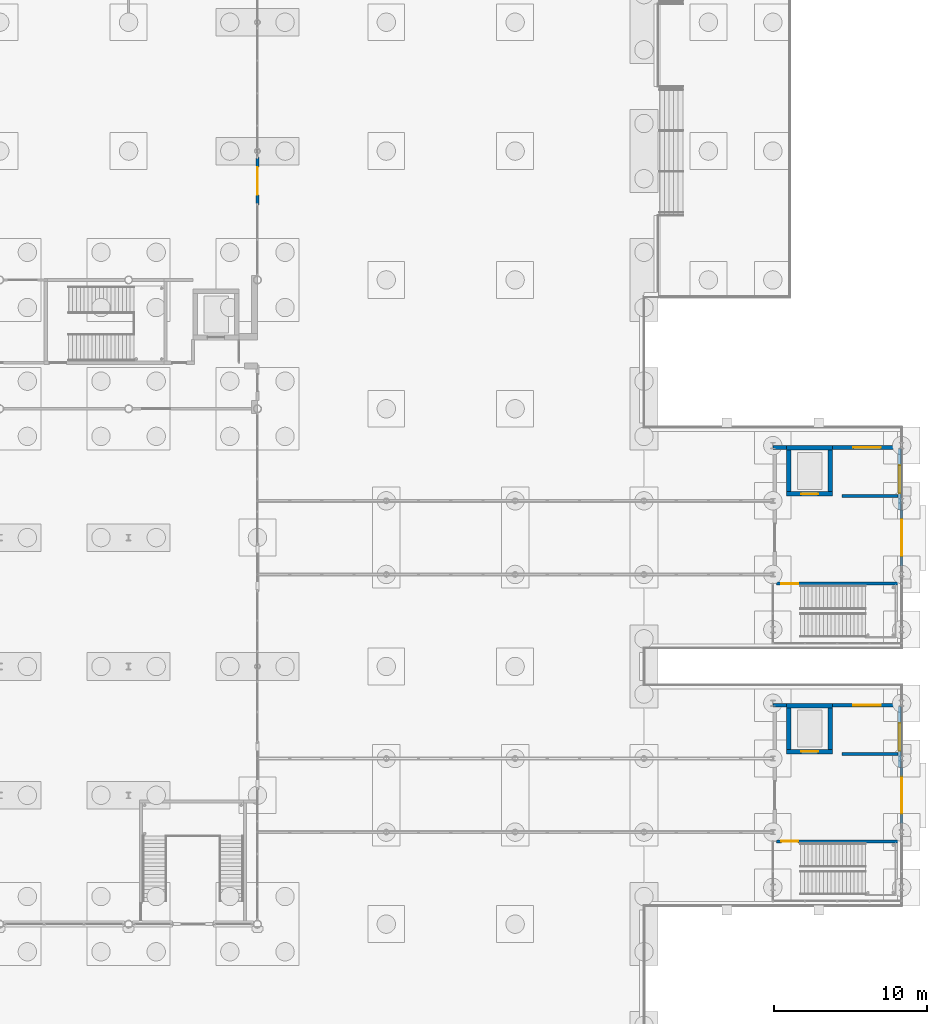
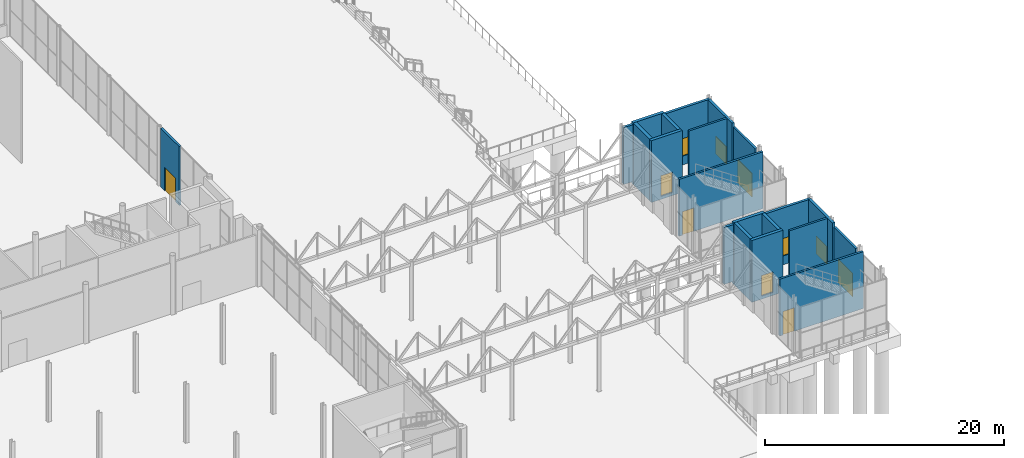
# One storey, part 184 of 212: 21 walls, 7 doors, 4 windows, 11 openings.
"""IFC4 building model written with IfcOpenShell, lengths in metres."""

from ifc_helpers import new_model, si_unit, direction, frame, frame_2d, origin, place, context, subcontext, project, spatial, rectangle, extrude, material, layer, layer_set, type_object, element, fill, save


model = new_model("IFC4")

# Units and contexts
model_context = context("Model", 3, precision=1e-05, world=origin(), true_north=direction((0.0, 1.0)))
body_context = subcontext(model_context, "Body", "Model", "MODEL_VIEW")
ifc_project = project(units=[si_unit("LENGTHUNIT", "METRE"), si_unit("AREAUNIT", "SQUARE_METRE"), si_unit("VOLUMEUNIT", "CUBIC_METRE"), si_unit("PLANEANGLEUNIT", "RADIAN"), si_unit("MASSUNIT", "GRAM", prefix="KILO")], contexts=[model_context])

# Site, building, storey
site_placement = place(None, origin())
site = spatial("IfcSite", under=ifc_project, at=site_placement, CompositionType="ELEMENT")
building_placement = place(site_placement, origin())
building = spatial("IfcBuilding", under=site, at=building_placement, Name="Catenary Quay Ferry Terminal", CompositionType="ELEMENT")
storey_placement = place(building_placement, origin())
storey = spatial("IfcBuildingStorey", under=building, at=storey_placement, Name="L00", CompositionType="ELEMENT", Elevation=0.0)

# Wall
ifc_material_1 = material(Name="Masonry and insulation", Category="masonry")
ifc_layer_1 = layer(ifc_material_1, 0.25)
ifc_layer_set_1 = layer_set([ifc_layer_1], Name="EW4")
wall_type_1 = type_object("IfcWallType", Name="EW4", PredefinedType="SOLIDWALL", material=ifc_layer_set_1)
wall_1_placement = place(storey_placement, frame((126.0, 81.47509765625, 0.0), z_axis=(0.0, 0.0, 1.0), x_axis=(1.0, 0.0, 0.0)))
element("IfcWall", 1, at=wall_1_placement, inside=storey, type_object=wall_type_1, Name="P1 wall WL156", PredefinedType="SOLIDWALL", context=body_context, shape_type="SweptSolid", body=[
    extrude(rectangle(XDim=0.89990234375, YDim=0.25, at=frame_2d((0.449951171875, 0.0))), origin(), (0.0, 0.0, 1.0), 5.800048828125),
])

# Wall, opening, window
wall_2_placement = place(storey_placement, frame((129.89990234375, 81.47509765625, 0.0), z_axis=(0.0, 0.0, 1.0), x_axis=(1.0, 0.0, 0.0)))
wall_2 = element("IfcWall", 2, at=wall_2_placement, inside=storey, type_object=wall_type_1, Name="P2 wall WL157", PredefinedType="SOLIDWALL", context=body_context, shape_type="SweptSolid", body=[
    extrude(rectangle(XDim=4.5, YDim=0.25, at=frame_2d((2.25, 0.0))), origin(), (0.0, 0.0, 1.0), 5.800048828125),
])
opening_1_placement = place(wall_2_placement, frame((1.35009765625, 0.0, 0.89990234375)))
opening_1 = element("IfcOpeningElement", 3, at=opening_1_placement, cuts=wall_2, Name="Opening W1", PredefinedType="OPENING", context=body_context, shape_type="SweptSolid", body=[
    extrude(rectangle(XDim=1.800048828125, YDim=1.800048828125, at=frame_2d((0.89990234375, 0.89990234375))), frame((0.0, 0.135009765625, 0.0), z_axis=(0.0, -1.0, 0.0), x_axis=(1.0, 0.0, 0.0)), (0.0, 0.0, 1.0), 0.27001953125),
])
ifc_material_2 = material(Name="Aluminium and glass", Category="aluminium")
window_type = type_object("IfcWindowType", Name="WH1", PartitioningType="SINGLE_PANEL", PredefinedType="WINDOW", material=ifc_material_2)
window_1_placement = place(opening_1_placement, origin())
window_1 = element("IfcWindow", 4, at=window_1_placement, inside=storey, type_object=window_type, Name="P2 window W1", OverallHeight=1.800048828125, OverallWidth=1.800048828125, PartitioningType="SINGLE_PANEL", PredefinedType="WINDOW", context=body_context, shape_type="SweptSolid", body=[
    extrude(rectangle(XDim=1.800048828125, YDim=1.800048828125, at=frame_2d((0.89990234375, 0.89990234375))), frame((0.0, 0.030029296875, 0.0), z_axis=(0.0, -1.0, 0.0), x_axis=(1.0, 0.0, 0.0)), (0.0, 0.0, 1.0), 0.06005859375),
])
fill(opening_1, window_1)

# Wall
wall_3_placement = place(storey_placement, frame((126.0, 98.27490234375, 0.0), z_axis=(0.0, 0.0, 1.0), x_axis=(1.0, 0.0, 0.0)))
element("IfcWall", 5, at=wall_3_placement, inside=storey, type_object=wall_type_1, Name="P3 wall WL158", PredefinedType="SOLIDWALL", context=body_context, shape_type="SweptSolid", body=[
    extrude(rectangle(XDim=0.89990234375, YDim=0.25, at=frame_2d((0.449951171875, 0.0))), origin(), (0.0, 0.0, 1.0), 5.800048828125),
])

# Wall, opening, window
wall_4_placement = place(storey_placement, frame((129.89990234375, 98.27490234375, 0.0), z_axis=(0.0, 0.0, 1.0), x_axis=(1.0, 0.0, 0.0)))
wall_4 = element("IfcWall", 6, at=wall_4_placement, inside=storey, type_object=wall_type_1, Name="P4 wall WL159", PredefinedType="SOLIDWALL", context=body_context, shape_type="SweptSolid", body=[
    extrude(rectangle(XDim=4.5, YDim=0.25, at=frame_2d((2.25, 0.0))), origin(), (0.0, 0.0, 1.0), 5.800048828125),
])
opening_2_placement = place(wall_4_placement, frame((1.35009765625, 0.0, 0.89990234375)))
opening_2 = element("IfcOpeningElement", 7, at=opening_2_placement, cuts=wall_4, Name="Opening W2", PredefinedType="OPENING", context=body_context, shape_type="SweptSolid", body=[
    extrude(rectangle(XDim=1.800048828125, YDim=1.800048828125, at=frame_2d((0.89990234375, 0.89990234375))), frame((0.0, 0.135009765625, 0.0), z_axis=(0.0, -1.0, 0.0), x_axis=(1.0, 0.0, 0.0)), (0.0, 0.0, 1.0), 0.27001953125),
])
window_2_placement = place(opening_2_placement, origin())
window_2 = element("IfcWindow", 8, at=window_2_placement, inside=storey, type_object=window_type, Name="P4 window W2", OverallHeight=1.800048828125, OverallWidth=1.800048828125, PartitioningType="SINGLE_PANEL", PredefinedType="WINDOW", context=body_context, shape_type="SweptSolid", body=[
    extrude(rectangle(XDim=1.800048828125, YDim=1.800048828125, at=frame_2d((0.89990234375, 0.89990234375))), frame((0.0, 0.030029296875, 0.0), z_axis=(0.0, -1.0, 0.0), x_axis=(1.0, 0.0, 0.0)), (0.0, 0.0, 1.0), 0.06005859375),
])
fill(opening_2, window_2)

wall_5_placement = place(storey_placement, frame((134.27490234375, 77.39990234375, 0.0), z_axis=(0.0, 0.0, 1.0), x_axis=(0.0, 1.0, 0.0)))
wall_5 = element("IfcWall", 9, at=wall_5_placement, inside=storey, type_object=wall_type_1, Name="P8 wall WL163", PredefinedType="SOLIDWALL", context=body_context, shape_type="SweptSolid", body=[
    extrude(rectangle(XDim=4.005126953125, YDim=0.25, at=frame_2d((2.00244140625, 0.0))), origin(), (0.0, 0.0, 1.0), 5.800048828125),
])
opening_3_placement = place(wall_5_placement, frame((1.1025390625, 0.0, 0.89990234375)))
opening_3 = element("IfcOpeningElement", 10, at=opening_3_placement, cuts=wall_5, Name="Opening W3", PredefinedType="OPENING", context=body_context, shape_type="SweptSolid", body=[
    extrude(rectangle(XDim=1.800048828125, YDim=1.800048828125, at=frame_2d((0.89990234375, 0.89990234375))), frame((0.0, 0.135009765625, 0.0), z_axis=(0.0, -1.0, 0.0), x_axis=(1.0, 0.0, 0.0)), (0.0, 0.0, 1.0), 0.27001953125),
])
window_3_placement = place(opening_3_placement, origin())
window_3 = element("IfcWindow", 11, at=window_3_placement, inside=storey, type_object=window_type, Name="P8 window W3", OverallHeight=1.800048828125, OverallWidth=1.800048828125, PartitioningType="SINGLE_PANEL", PredefinedType="WINDOW", context=body_context, shape_type="SweptSolid", body=[
    extrude(rectangle(XDim=1.800048828125, YDim=1.800048828125, at=frame_2d((0.89990234375, 0.89990234375))), frame((0.0, 0.030029296875, 0.0), z_axis=(0.0, -1.0, 0.0), x_axis=(1.0, 0.0, 0.0)), (0.0, 0.0, 1.0), 0.06005859375),
])
fill(opening_3, window_3)

wall_6_placement = place(storey_placement, frame((134.27490234375, 94.199951171875, 0.0), z_axis=(0.0, 0.0, 1.0), x_axis=(0.0, 1.0, 0.0)))
wall_6 = element("IfcWall", 12, at=wall_6_placement, inside=storey, type_object=wall_type_1, Name="P11 wall WL166", PredefinedType="SOLIDWALL", context=body_context, shape_type="SweptSolid", body=[
    extrude(rectangle(XDim=4.005126953125, YDim=0.25, at=frame_2d((2.00244140625, 0.0))), origin(), (0.0, 0.0, 1.0), 5.800048828125),
])
opening_4_placement = place(wall_6_placement, frame((1.1025390625, 0.0, 0.89990234375)))
opening_4 = element("IfcOpeningElement", 13, at=opening_4_placement, cuts=wall_6, Name="Opening W4", PredefinedType="OPENING", context=body_context, shape_type="SweptSolid", body=[
    extrude(rectangle(XDim=1.800048828125, YDim=1.800048828125, at=frame_2d((0.89990234375, 0.89990234375))), frame((0.0, 0.135009765625, 0.0), z_axis=(0.0, -1.0, 0.0), x_axis=(1.0, 0.0, 0.0)), (0.0, 0.0, 1.0), 0.27001953125),
])
window_4_placement = place(opening_4_placement, origin())
window_4 = element("IfcWindow", 14, at=window_4_placement, inside=storey, type_object=window_type, Name="P11 window W4", OverallHeight=1.800048828125, OverallWidth=1.800048828125, PartitioningType="SINGLE_PANEL", PredefinedType="WINDOW", context=body_context, shape_type="SweptSolid", body=[
    extrude(rectangle(XDim=1.800048828125, YDim=1.800048828125, at=frame_2d((0.89990234375, 0.89990234375))), frame((0.0, 0.030029296875, 0.0), z_axis=(0.0, -1.0, 0.0), x_axis=(1.0, 0.0, 0.0)), (0.0, 0.0, 1.0), 0.06005859375),
])
fill(opening_4, window_4)

# Wall, opening, door
ifc_material_3 = material(Name="Masonry and insulation", Category="masonry")
ifc_layer_2 = layer(ifc_material_3, 0.199951171875)
ifc_layer_set_2 = layer_set([ifc_layer_2], Name="EW6")
wall_type_2 = type_object("IfcWallType", Name="EW6", PredefinedType="SOLIDWALL", material=ifc_layer_set_2)
wall_7_placement = place(storey_placement, frame((92.39990234375, 114.094970703125, 0.0), z_axis=(0.0, 0.0, 1.0), x_axis=(0.0, 1.0, 0.0)))
wall_7 = element("IfcWall", 15, at=wall_7_placement, inside=storey, type_object=wall_type_2, Name="Gable departure hall wall WL7", PredefinedType="SOLIDWALL", context=body_context, shape_type="SweptSolid", body=[
    extrude(rectangle(XDim=3.110107421875, YDim=0.199951171875, at=frame_2d((1.55517578125, 0.0))), origin(), (0.0, 0.0, 1.0), 6.0),
])
opening_5_placement = place(wall_7_placement, frame((0.655029296875, 0.0, 0.0)))
opening_5 = element("IfcOpeningElement", 16, at=opening_5_placement, cuts=wall_7, Name="Opening D7", PredefinedType="OPENING", context=body_context, shape_type="SweptSolid", body=[
    extrude(rectangle(XDim=1.800048828125, YDim=2.39990234375, at=frame_2d((0.89990234375, 1.199951171875))), frame((0.0, 0.10986328125, 0.0), z_axis=(0.0, -1.0, 0.0), x_axis=(1.0, 0.0, 0.0)), (0.0, 0.0, 1.0), 0.219970703125),
])
ifc_material_4 = material(Name="Steel", Category="steel")
door_type_1 = type_object("IfcDoorType", Name="DXE1800", OperationType="SINGLE_SWING_LEFT", PredefinedType="DOOR", material=ifc_material_4)
door_1_placement = place(opening_5_placement, frame((1.800048828125, 0.0, 0.0), z_axis=(0.0, 0.0, 1.0), x_axis=(-1.0, 0.0, 0.0)))
door_1 = element("IfcDoor", 17, at=door_1_placement, inside=storey, type_object=door_type_1, Name="Gable departure hall door D7", OperationType="SINGLE_SWING_RIGHT", OverallHeight=2.39990234375, OverallWidth=1.800048828125, PredefinedType="DOOR", context=body_context, shape_type="SweptSolid", body=[
    extrude(rectangle(XDim=1.800048828125, YDim=2.39990234375, at=frame_2d((0.89990234375, 1.199951171875))), frame((0.0, 0.02490234375, 0.0), z_axis=(0.0, -1.0, 0.0), x_axis=(1.0, 0.0, 0.0)), (0.0, 0.0, 1.0), 0.050048828125),
])
fill(opening_5, door_1)

wall_8_placement = place(storey_placement, frame((134.39990234375, 73.7548828125, 0.0), z_axis=(0.0, 0.0, 1.0), x_axis=(0.0, 1.0, 0.0)))
wall_8 = element("IfcWall", 18, at=wall_8_placement, inside=storey, type_object=wall_type_2, Name="Front berth 1 gangway wall WL30", PredefinedType="SOLIDWALL", context=body_context, shape_type="SweptSolid", body=[
    extrude(rectangle(XDim=3.64501953125, YDim=0.199951171875, at=frame_2d((1.822509765625, 0.0))), origin(), (0.0, 0.0, 1.0), 5.34619140625),
])
opening_6_placement = place(wall_8_placement, frame((0.64501953125, 0.0, 0.0)))
opening_6 = element("IfcOpeningElement", 19, at=opening_6_placement, cuts=wall_8, Name="Opening D12", PredefinedType="OPENING", context=body_context, shape_type="SweptSolid", body=[
    extrude(rectangle(XDim=2.39990234375, YDim=2.39990234375, at=frame_2d((1.199951171875, 1.199951171875))), frame((0.0, 0.10986328125, 0.0), z_axis=(0.0, -1.0, 0.0), x_axis=(1.0, 0.0, 0.0)), (0.0, 0.0, 1.0), 0.219970703125),
])
ifc_material_5 = material(Name="Aluminium and glass", Category="aluminium")
door_type_2 = type_object("IfcDoorType", Name="DXB2400", OperationType="DOUBLE_DOOR_SINGLE_SWING", PredefinedType="DOOR", material=ifc_material_5)
door_2_placement = place(opening_6_placement, frame((2.39990234375, 0.0, 0.0), z_axis=(0.0, 0.0, 1.0), x_axis=(-1.0, 0.0, 0.0)))
door_2 = element("IfcDoor", 20, at=door_2_placement, inside=storey, type_object=door_type_2, Name="Front berth 1 gangway door D12", OperationType="DOUBLE_DOOR_SINGLE_SWING", OverallHeight=2.39990234375, OverallWidth=2.39990234375, PredefinedType="DOOR", context=body_context, shape_type="SweptSolid", body=[
    extrude(rectangle(XDim=2.39990234375, YDim=2.39990234375, at=frame_2d((1.199951171875, 1.199951171875))), frame((0.0, 0.02490234375, 0.0), z_axis=(0.0, -1.0, 0.0), x_axis=(1.0, 0.0, 0.0)), (0.0, 0.0, 1.0), 0.050048828125),
])
fill(opening_6, door_2)

wall_9_placement = place(storey_placement, frame((134.39990234375, 90.554931640625, 0.0), z_axis=(0.0, 0.0, 1.0), x_axis=(0.0, 1.0, 0.0)))
wall_9 = element("IfcWall", 21, at=wall_9_placement, inside=storey, type_object=wall_type_2, Name="Front berth 2 gangway wall WL31", PredefinedType="SOLIDWALL", context=body_context, shape_type="SweptSolid", body=[
    extrude(rectangle(XDim=3.64501953125, YDim=0.199951171875, at=frame_2d((1.822509765625, 0.0))), origin(), (0.0, 0.0, 1.0), 5.34619140625),
])
opening_7_placement = place(wall_9_placement, frame((0.64501953125, 0.0, 0.0)))
opening_7 = element("IfcOpeningElement", 22, at=opening_7_placement, cuts=wall_9, Name="Opening D13", PredefinedType="OPENING", context=body_context, shape_type="SweptSolid", body=[
    extrude(rectangle(XDim=2.39990234375, YDim=2.39990234375, at=frame_2d((1.199951171875, 1.199951171875))), frame((0.0, 0.10986328125, 0.0), z_axis=(0.0, -1.0, 0.0), x_axis=(1.0, 0.0, 0.0)), (0.0, 0.0, 1.0), 0.219970703125),
])
door_3_placement = place(opening_7_placement, frame((2.39990234375, 0.0, 0.0), z_axis=(0.0, 0.0, 1.0), x_axis=(-1.0, 0.0, 0.0)))
door_3 = element("IfcDoor", 23, at=door_3_placement, inside=storey, type_object=door_type_2, Name="Front berth 2 gangway door D13", OperationType="DOUBLE_DOOR_SINGLE_SWING", OverallHeight=2.39990234375, OverallWidth=2.39990234375, PredefinedType="DOOR", context=body_context, shape_type="SweptSolid", body=[
    extrude(rectangle(XDim=2.39990234375, YDim=2.39990234375, at=frame_2d((1.199951171875, 1.199951171875))), frame((0.0, 0.02490234375, 0.0), z_axis=(0.0, -1.0, 0.0), x_axis=(1.0, 0.0, 0.0)), (0.0, 0.0, 1.0), 0.050048828125),
])
fill(opening_7, door_3)

ifc_material_6 = material(Name="Blockwork and plaster", Category="masonry")
ifc_layer_3 = layer(ifc_material_6, 0.199951171875)
ifc_layer_set_3 = layer_set([ifc_layer_3], Name="IP4")
wall_type_3 = type_object("IfcWallType", Name="IP4", PredefinedType="PARTITIONING", material=ifc_layer_set_3)
wall_10_placement = place(storey_placement, frame((126.25, 72.60009765625, 0.0), z_axis=(0.0, 0.0, 1.0), x_axis=(1.0, 0.0, 0.0)))
wall_10 = element("IfcWall", 24, at=wall_10_placement, inside=storey, type_object=wall_type_3, Name="Partition L00 1", PredefinedType="PARTITIONING", context=body_context, shape_type="SweptSolid", body=[
    extrude(rectangle(XDim=8.074951171875, YDim=0.199951171875, at=frame_2d((4.03759765625, 0.0))), origin(), (0.0, 0.0, 1.0), 5.800048828125),
])
opening_8_placement = place(wall_10_placement, frame((0.300048828125, 0.0, 0.0)))
opening_8 = element("IfcOpeningElement", 25, at=opening_8_placement, cuts=wall_10, Name="Opening D70", PredefinedType="OPENING", context=body_context, shape_type="SweptSolid", body=[
    extrude(rectangle(XDim=1.10009765625, YDim=2.39990234375, at=frame_2d((0.550048828125, 1.199951171875))), frame((0.0, 0.10986328125, 0.0), z_axis=(0.0, -1.0, 0.0), x_axis=(1.0, 0.0, 0.0)), (0.0, 0.0, 1.0), 0.219970703125),
])
ifc_material_7 = material(Name="Steel", Category="steel")
door_type_3 = type_object("IfcDoorType", Name="DI4", OperationType="SINGLE_SWING_LEFT", PredefinedType="DOOR", material=ifc_material_7)
door_4_placement = place(opening_8_placement, frame((1.10009765625, 0.0, 0.0), z_axis=(0.0, 0.0, 1.0), x_axis=(-1.0, 0.0, 0.0)))
door_4 = element("IfcDoor", 26, at=door_4_placement, inside=storey, type_object=door_type_3, Name="Stair HB1 to Berth 1 Gangway Lobby", OperationType="SINGLE_SWING_RIGHT", OverallHeight=2.39990234375, OverallWidth=1.10009765625, PredefinedType="DOOR", context=body_context, shape_type="SweptSolid", body=[
    extrude(rectangle(XDim=1.10009765625, YDim=2.39990234375, at=frame_2d((0.550048828125, 1.199951171875))), frame((0.0, 0.02490234375, 0.0), z_axis=(0.0, -1.0, 0.0), x_axis=(1.0, 0.0, 0.0)), (0.0, 0.0, 1.0), 0.050048828125),
])
fill(opening_8, door_4)

wall_11_placement = place(storey_placement, frame((126.25, 89.39990234375, 0.0), z_axis=(0.0, 0.0, 1.0), x_axis=(1.0, 0.0, 0.0)))
wall_11 = element("IfcWall", 27, at=wall_11_placement, inside=storey, type_object=wall_type_3, Name="Partition L00 9", PredefinedType="PARTITIONING", context=body_context, shape_type="SweptSolid", body=[
    extrude(rectangle(XDim=8.074951171875, YDim=0.199951171875, at=frame_2d((4.03759765625, 0.0))), origin(), (0.0, 0.0, 1.0), 5.800048828125),
])
opening_9_placement = place(wall_11_placement, frame((0.300048828125, 0.0, 0.0)))
opening_9 = element("IfcOpeningElement", 28, at=opening_9_placement, cuts=wall_11, Name="Opening D72", PredefinedType="OPENING", context=body_context, shape_type="SweptSolid", body=[
    extrude(rectangle(XDim=1.10009765625, YDim=2.39990234375, at=frame_2d((0.550048828125, 1.199951171875))), frame((0.0, 0.10986328125, 0.0), z_axis=(0.0, -1.0, 0.0), x_axis=(1.0, 0.0, 0.0)), (0.0, 0.0, 1.0), 0.219970703125),
])
door_5_placement = place(opening_9_placement, frame((1.10009765625, 0.0, 0.0), z_axis=(0.0, 0.0, 1.0), x_axis=(-1.0, 0.0, 0.0)))
door_5 = element("IfcDoor", 29, at=door_5_placement, inside=storey, type_object=door_type_3, Name="Stair HB2 to Berth 2 Gangway Lobby", OperationType="SINGLE_SWING_RIGHT", OverallHeight=2.39990234375, OverallWidth=1.10009765625, PredefinedType="DOOR", context=body_context, shape_type="SweptSolid", body=[
    extrude(rectangle(XDim=1.10009765625, YDim=2.39990234375, at=frame_2d((0.550048828125, 1.199951171875))), frame((0.0, 0.02490234375, 0.0), z_axis=(0.0, -1.0, 0.0), x_axis=(1.0, 0.0, 0.0)), (0.0, 0.0, 1.0), 0.050048828125),
])
fill(opening_9, door_5)

# Walls
ifc_material_8 = material(Name="Blockwork and plaster", Category="masonry")
ifc_layer_4 = layer(ifc_material_8, 0.199951171875)
ifc_layer_set_4 = layer_set([ifc_layer_4], Name="IP6")
wall_type_4 = type_object("IfcWallType", Name="IP6", PredefinedType="PARTITIONING", material=ifc_layer_set_4)
for number, where, z_axis, x_axis, name in (
    (30, (130.5, 78.300048828125, 0.0), (0.0, 0.0, 1.0), (1.0, 0.0, 0.0), "Partition L00 8"),
    (31, (130.5, 95.10009765625, 0.0), (0.0, 0.0, 1.0), (1.0, 0.0, 0.0), "Partition L00 10"),
):
    element("IfcWall", number, at=place(storey_placement, frame(where, z_axis=z_axis, x_axis=x_axis)), inside=storey, type_object=wall_type_4, Name=name, PredefinedType="PARTITIONING", context=body_context, shape_type="SweptSolid", body=[
        extrude(rectangle(XDim=3.64990234375, YDim=0.199951171875, at=frame_2d((1.824951171875, 0.0))), origin(), (0.0, 0.0, 1.0), 5.800048828125),
    ])

# Wall, opening, door
ifc_material_9 = material(Name="Concrete C50/60", Category="concrete")
ifc_layer_5 = layer(ifc_material_9, 0.300048828125)
ifc_layer_set_5 = layer_set([ifc_layer_5], Name="Shaft wall 300")
wall_type_5 = type_object("IfcWallType", Name="Shaft wall 300", PredefinedType="SHEAR", material=ifc_layer_set_5)
wall_12_placement = place(storey_placement, frame((126.89990234375, 78.449951171875, -0.300048828125), z_axis=(0.0, 0.0, 1.0), x_axis=(1.0, 0.0, 0.0)))
wall_12 = element("IfcWall", 32, at=wall_12_placement, inside=storey, type_object=wall_type_5, Name="Shaft wall BL1 S", PredefinedType="SHEAR", context=body_context, shape_type="SweptSolid", body=[
    extrude(rectangle(XDim=3.0, YDim=0.300048828125, at=frame_2d((1.5, 0.0))), origin(), (0.0, 0.0, 1.0), 6.300048828125),
])
opening_10_placement = place(wall_12_placement, frame((0.949951171875, 0.0, 0.300048828125)))
opening_10 = element("IfcOpeningElement", 33, at=opening_10_placement, cuts=wall_12, Name="Opening LD1", PredefinedType="OPENING", context=body_context, shape_type="SweptSolid", body=[
    extrude(rectangle(XDim=1.10009765625, YDim=2.10009765625, at=frame_2d((0.550048828125, 1.050048828125))), frame((0.0, 0.159912109375, 0.0), z_axis=(0.0, -1.0, 0.0), x_axis=(1.0, 0.0, 0.0)), (0.0, 0.0, 1.0), 0.320068359375),
])
ifc_material_10 = material(Name="Stainless steel", Category="steel")
door_type_4 = type_object("IfcDoorType", Name="DL1", OperationType="SLIDING_TO_LEFT", PredefinedType="DOOR", material=ifc_material_10)
door_6_placement = place(opening_10_placement, origin())
door_6 = element("IfcDoor", 34, at=door_6_placement, inside=storey, type_object=door_type_4, Name="Lift BL1 landing door L00", OperationType="SLIDING_TO_LEFT", OverallHeight=2.10009765625, OverallWidth=1.10009765625, PredefinedType="DOOR", context=body_context, shape_type="SweptSolid", body=[
    extrude(rectangle(XDim=1.10009765625, YDim=2.10009765625, at=frame_2d((0.550048828125, 1.050048828125))), frame((0.0, 0.02490234375, 0.0), z_axis=(0.0, -1.0, 0.0), x_axis=(1.0, 0.0, 0.0)), (0.0, 0.0, 1.0), 0.050048828125),
])
fill(opening_10, door_6)

# Walls
for number, where, z_axis, x_axis, name in (
    (35, (129.75, 78.60009765625, -0.300048828125), (0.0, 0.0, 1.0), (0.0, 1.0, 0.0), "Shaft wall BL1 E"),
    (36, (127.050048828125, 78.60009765625, -0.300048828125), (0.0, 0.0, 1.0), (0.0, 1.0, 0.0), "Shaft wall BL1 W"),
):
    element("IfcWall", number, at=place(storey_placement, frame(where, z_axis=z_axis, x_axis=x_axis)), inside=storey, type_object=wall_type_5, Name=name, PredefinedType="SHEAR", context=body_context, shape_type="SweptSolid", body=[
        extrude(rectangle(XDim=2.699951171875, YDim=0.300048828125, at=frame_2d((1.35009765625, 0.0))), origin(), (0.0, 0.0, 1.0), 6.300048828125),
    ])
wall_13_placement = place(storey_placement, frame((126.89990234375, 81.449951171875, -0.300048828125), z_axis=(0.0, 0.0, 1.0), x_axis=(1.0, 0.0, 0.0)))
element("IfcWall", 37, at=wall_13_placement, inside=storey, type_object=wall_type_5, Name="Shaft wall BL1 N", PredefinedType="SHEAR", context=body_context, shape_type="SweptSolid", body=[
    extrude(rectangle(XDim=3.0, YDim=0.300048828125, at=frame_2d((1.5, 0.0))), origin(), (0.0, 0.0, 1.0), 6.300048828125),
])

# Wall, opening, door
wall_14_placement = place(storey_placement, frame((126.89990234375, 95.25, -0.300048828125), z_axis=(0.0, 0.0, 1.0), x_axis=(1.0, 0.0, 0.0)))
wall_14 = element("IfcWall", 38, at=wall_14_placement, inside=storey, type_object=wall_type_5, Name="Shaft wall BL2 S", PredefinedType="SHEAR", context=body_context, shape_type="SweptSolid", body=[
    extrude(rectangle(XDim=3.0, YDim=0.300048828125, at=frame_2d((1.5, 0.0))), origin(), (0.0, 0.0, 1.0), 6.300048828125),
])
opening_11_placement = place(wall_14_placement, frame((0.949951171875, 0.0, 0.300048828125)))
opening_11 = element("IfcOpeningElement", 39, at=opening_11_placement, cuts=wall_14, Name="Opening LD3", PredefinedType="OPENING", context=body_context, shape_type="SweptSolid", body=[
    extrude(rectangle(XDim=1.10009765625, YDim=2.10009765625, at=frame_2d((0.550048828125, 1.050048828125))), frame((0.0, 0.159912109375, 0.0), z_axis=(0.0, -1.0, 0.0), x_axis=(1.0, 0.0, 0.0)), (0.0, 0.0, 1.0), 0.320068359375),
])
door_7_placement = place(opening_11_placement, origin())
door_7 = element("IfcDoor", 40, at=door_7_placement, inside=storey, type_object=door_type_4, Name="Lift BL2 landing door L00", OperationType="SLIDING_TO_LEFT", OverallHeight=2.10009765625, OverallWidth=1.10009765625, PredefinedType="DOOR", context=body_context, shape_type="SweptSolid", body=[
    extrude(rectangle(XDim=1.10009765625, YDim=2.10009765625, at=frame_2d((0.550048828125, 1.050048828125))), frame((0.0, 0.02490234375, 0.0), z_axis=(0.0, -1.0, 0.0), x_axis=(1.0, 0.0, 0.0)), (0.0, 0.0, 1.0), 0.050048828125),
])
fill(opening_11, door_7)

# Walls
for number, where, z_axis, x_axis, name in (
    (41, (129.75, 95.39990234375, -0.300048828125), (0.0, 0.0, 1.0), (0.0, 1.0, 0.0), "Shaft wall BL2 E"),
    (42, (127.050048828125, 95.39990234375, -0.300048828125), (0.0, 0.0, 1.0), (0.0, 1.0, 0.0), "Shaft wall BL2 W"),
):
    element("IfcWall", number, at=place(storey_placement, frame(where, z_axis=z_axis, x_axis=x_axis)), inside=storey, type_object=wall_type_5, Name=name, PredefinedType="SHEAR", context=body_context, shape_type="SweptSolid", body=[
        extrude(rectangle(XDim=2.7001953125, YDim=0.300048828125, at=frame_2d((1.35009765625, 0.0))), origin(), (0.0, 0.0, 1.0), 6.300048828125),
    ])
wall_15_placement = place(storey_placement, frame((126.89990234375, 98.25, -0.300048828125), z_axis=(0.0, 0.0, 1.0), x_axis=(1.0, 0.0, 0.0)))
element("IfcWall", 43, at=wall_15_placement, inside=storey, type_object=wall_type_5, Name="Shaft wall BL2 N", PredefinedType="SHEAR", context=body_context, shape_type="SweptSolid", body=[
    extrude(rectangle(XDim=3.0, YDim=0.300048828125, at=frame_2d((1.5, 0.0))), origin(), (0.0, 0.0, 1.0), 6.300048828125),
])

save(model, "model.ifc")
